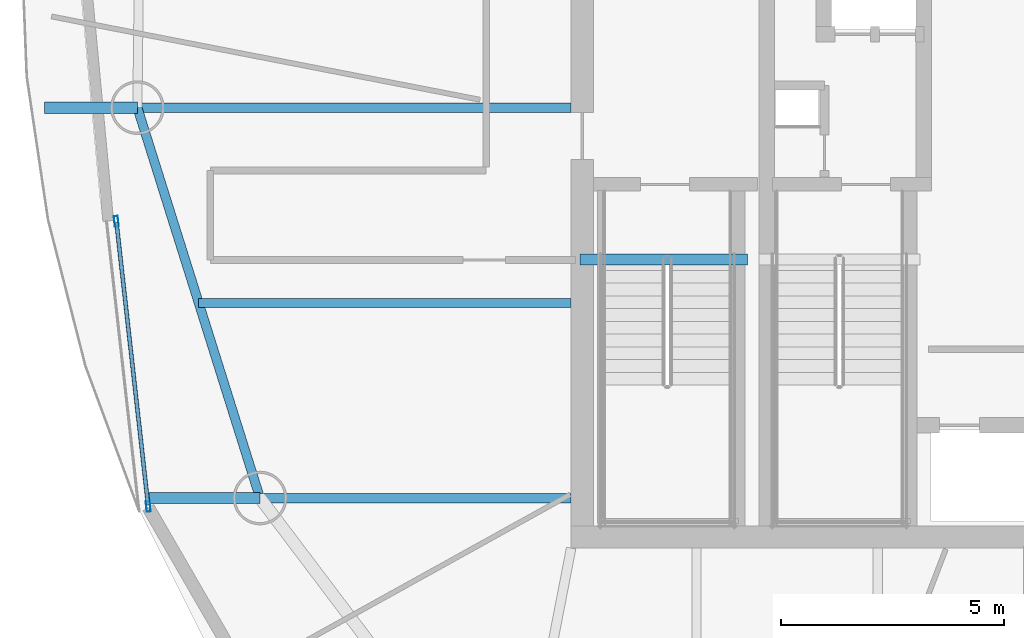
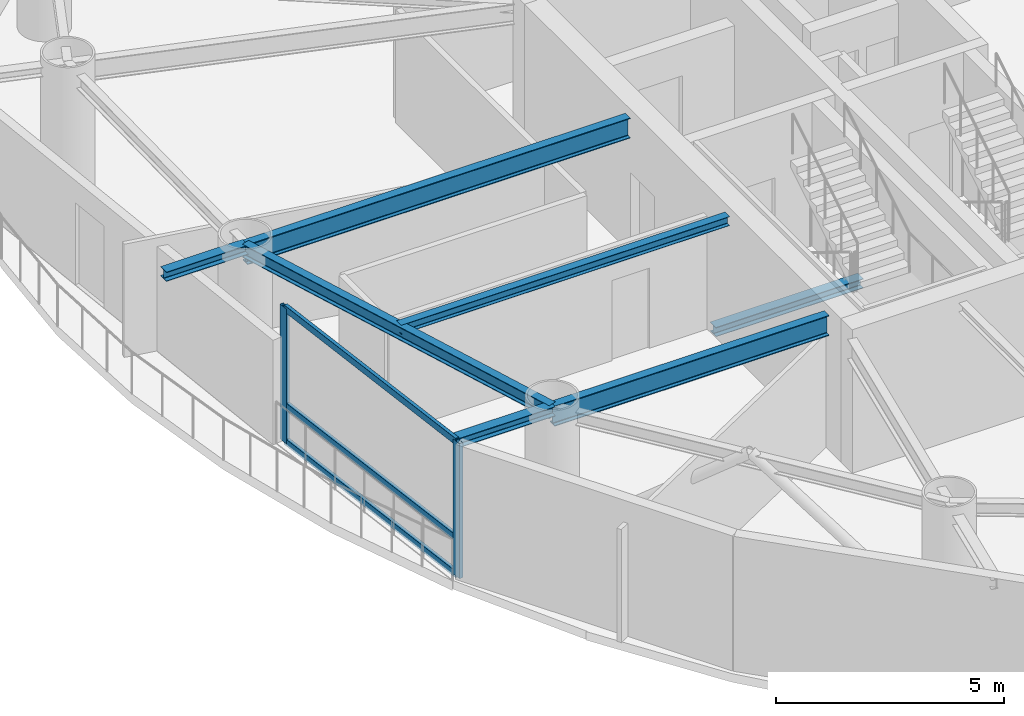
# One storey, part 4 of 18: 7 beams, 5 members, 1 element without a shape of its own.
"""IFC4 building model written with IfcOpenShell, lengths in metres."""

from ifc_helpers import new_model, si_unit, direction, frame, origin, origin_2d, place, context, subcontext, project, spatial, hollow_rectangle, i_section, extrude, material, layer, layer_set, material_profile, profile_set, type_object, element, aggregate, save


model = new_model("IFC4")

# Units and contexts
model_context = context("Model", 3, precision=1e-05, world=origin(), true_north=direction((0.0, 1.0)))
body_context = subcontext(model_context, "Body", "Model", "MODEL_VIEW")
ifc_project = project(units=[si_unit("LENGTHUNIT", "METRE"), si_unit("AREAUNIT", "SQUARE_METRE"), si_unit("VOLUMEUNIT", "CUBIC_METRE"), si_unit("PLANEANGLEUNIT", "RADIAN"), si_unit("MASSUNIT", "GRAM", prefix="KILO")], contexts=[model_context])

# Site, building, storey
site_placement = place(None, origin())
site = spatial("IfcSite", under=ifc_project, at=site_placement, CompositionType="ELEMENT")
building_placement = place(site_placement, origin())
building = spatial("IfcBuilding", under=site, at=building_placement, Name="Bramvorn Convention Spire", CompositionType="ELEMENT")
storey_placement = place(building_placement, frame((0.0, 0.0, 182.75)))
storey = spatial("IfcBuildingStorey", under=building, at=storey_placement, Name="L46", CompositionType="ELEMENT", Elevation=182.75)

# Beams
ifc_material_1 = material(Name="Steel CSA G40.21 Grade 350 (350W)", Category="steel")
ifc_material_profile_1 = material_profile(ifc_material_1, i_section(OverallWidth=0.201904296875, OverallDepth=0.2470703125, WebThickness=0.00732421875, FlangeThickness=0.010986328125, FilletRadius=0.011962890625, at=origin_2d()))
ifc_profile_set_1 = profile_set([ifc_material_profile_1], Name="Steel CSA G40.21 Grade 350 (350W) - W250X49")
beam_type_1 = type_object("IfcBeamType", Name="BM-W250X49", PredefinedType="JOIST", material=ifc_profile_set_1)
beam_1_placement = place(storey_placement, frame((26.75, 24.039794921875, 3.49658203125), z_axis=(-1.0, 0.0, 0.0), x_axis=(0.0, -1.0, 0.0)))
element("IfcBeam", 1, at=beam_1_placement, inside=storey, type_object=beam_type_1, Name="L46 composite floor joist 11", PredefinedType="JOIST", context=body_context, shape_type="SweptSolid", body=[
    extrude(i_section(OverallWidth=0.201904296875, OverallDepth=0.2470703125, WebThickness=0.00732421875, FlangeThickness=0.010986328125, FilletRadius=0.011962890625, at=origin_2d()), origin(), (0.0, 0.0, 1.0), 8.33251953125),
])
ifc_material_profile_2 = material_profile(ifc_material_1, i_section(OverallWidth=0.25390625, OverallDepth=0.2529296875, WebThickness=0.008544921875, FlangeThickness=0.01416015625, FilletRadius=0.011962890625, at=origin_2d()))
ifc_profile_set_2 = profile_set([ifc_material_profile_2], Name="Steel CSA G40.21 Grade 350 (350W) - W250X73")
beam_type_2 = type_object("IfcBeamType", Name="BM-W250X73", PredefinedType="BEAM", material=ifc_profile_set_2)
beam_2_placement = place(storey_placement, frame((17.04541015625, 28.406494140625, 3.493408203125), z_axis=(-1.0, 0.0, 0.0), x_axis=(0.0, -1.0, 0.0)))
element("IfcBeam", 2, at=beam_2_placement, inside=storey, type_object=beam_type_2, Name="L46 slab-edge cantilever tip beam MC11", PredefinedType="BEAM", context=body_context, shape_type="SweptSolid", body=[
    extrude(i_section(OverallWidth=0.25390625, OverallDepth=0.2529296875, WebThickness=0.008544921875, FlangeThickness=0.01416015625, FilletRadius=0.011962890625, at=origin_2d()), origin(), (0.0, 0.0, 1.0), 2.080078125),
])
beam_3_placement = place(storey_placement, frame((19.78955078125, 19.672607421875, 3.493408203125), z_axis=(-1.0, 0.0, 0.0), x_axis=(0.0, -1.0, 0.0)))
element("IfcBeam", 3, at=beam_3_placement, inside=storey, type_object=beam_type_2, Name="L46 slab-edge cantilever tip beam MC12", PredefinedType="BEAM", context=body_context, shape_type="SweptSolid", body=[
    extrude(i_section(OverallWidth=0.25390625, OverallDepth=0.2529296875, WebThickness=0.008544921875, FlangeThickness=0.01416015625, FilletRadius=0.011962890625, at=origin_2d()), origin(), (0.0, 0.0, 1.0), 2.479248046875),
])
beam_4_placement = place(storey_placement, frame((26.949951171875, 25.010009765625, -0.12646484375), z_axis=(1.0, 0.0, 0.0), x_axis=(0.0, 1.0, 0.0)))
element("IfcBeam", 4, at=beam_4_placement, inside=storey, type_object=beam_type_2, Name="L46 ST1 stair arrival header beam", PredefinedType="BEAM", context=body_context, shape_type="SweptSolid", body=[
    extrude(i_section(OverallWidth=0.25390625, OverallDepth=0.2529296875, WebThickness=0.008544921875, FlangeThickness=0.01416015625, FilletRadius=0.011962890625, at=origin_2d()), origin(), (0.0, 0.0, 1.0), 3.739990234375),
])
ifc_material_profile_3 = material_profile(ifc_material_1, i_section(OverallWidth=0.205078125, OverallDepth=0.35400390625, WebThickness=0.009521484375, FlangeThickness=0.016845703125, FilletRadius=0.014892578125, at=origin_2d()))
ifc_profile_set_3 = profile_set([ifc_material_profile_3], Name="Steel CSA G40.21 Grade 350 (350W) - W360X79")
beam_type_3 = type_object("IfcBeamType", Name="BM-W360X79", PredefinedType="JOIST", material=ifc_profile_set_3)
beam_5_placement = place(storey_placement, frame((17.04541015625, 28.406494140625, 3.443115234375), z_axis=(0.299747542929, -0.954018558786, 0.0), x_axis=(0.954018558786, 0.299747542929, 0.0)))
element("IfcBeam", 5, at=beam_5_placement, inside=storey, type_object=beam_type_3, Name="L46 mega-column ring beam 11", PredefinedType="JOIST", context=body_context, shape_type="SweptSolid", body=[
    extrude(i_section(OverallWidth=0.205078125, OverallDepth=0.35400390625, WebThickness=0.009521484375, FlangeThickness=0.016845703125, FilletRadius=0.014892578125, at=origin_2d()), origin(), (0.0, 0.0, 1.0), 9.15478515625),
])
ifc_material_profile_4 = material_profile(ifc_material_1, i_section(OverallWidth=0.2119140625, OverallDepth=0.5439453125, WebThickness=0.01318359375, FlangeThickness=0.021240234375, FilletRadius=0.01904296875, at=origin_2d()))
ifc_profile_set_4 = profile_set([ifc_material_profile_4], Name="Steel CSA G40.21 Grade 350 (350W) - W530X123")
beam_type_4 = type_object("IfcBeamType", Name="BM-W530X123", PredefinedType="BEAM", material=ifc_profile_set_4)
beam_6_placement = place(storey_placement, frame((26.75, 28.406494140625, 3.347900390625), z_axis=(-1.0, 0.0, 0.0), x_axis=(0.0, -1.0, 0.0)))
element("IfcBeam", 6, at=beam_6_placement, inside=storey, type_object=beam_type_4, Name="L46 radial floor girder MC11", PredefinedType="BEAM", context=body_context, shape_type="SweptSolid", body=[
    extrude(i_section(OverallWidth=0.2119140625, OverallDepth=0.5439453125, WebThickness=0.01318359375, FlangeThickness=0.021240234375, FilletRadius=0.01904296875, at=origin_2d()), origin(), (0.0, 0.0, 1.0), 9.70458984375),
])
beam_7_placement = place(storey_placement, frame((26.75, 19.672607421875, 3.347900390625), z_axis=(-1.0, 0.0, 0.0), x_axis=(0.0, -1.0, 0.0)))
element("IfcBeam", 7, at=beam_7_placement, inside=storey, type_object=beam_type_4, Name="L46 radial floor girder MC12", PredefinedType="BEAM", context=body_context, shape_type="SweptSolid", body=[
    extrude(i_section(OverallWidth=0.2119140625, OverallDepth=0.5439453125, WebThickness=0.01318359375, FlangeThickness=0.021240234375, FilletRadius=0.01904296875, at=origin_2d()), origin(), (0.0, 0.0, 1.0), 6.96044921875),
])

# Curtain wall, members
ifc_material_2 = material(Name="Anodised Bronze Unitised Curtain Wall", Category="aluminium")
ifc_layer = layer(ifc_material_2, 0.219970703125)
ifc_layer_set = layer_set([ifc_layer], Name="Anodised Bronze Unitised Curtain Wall - CW-SKYGARDEN")
curtain_wall_type = type_object("IfcCurtainWallType", Name="CW-SKYGARDEN", PredefinedType="USERDEFINED", material=ifc_layer_set)
curtain_wall_placement = place(storey_placement, origin())
curtain_wall = element("IfcCurtainWall", 8, at=curtain_wall_placement, inside=storey, type_object=curtain_wall_type, Name="L46 Sky Garden glazed facade 16", ObjectType="WINTER GARDEN GLAZING", PredefinedType="USERDEFINED")
ifc_material_3 = material(Name="Anodised Bronze Aluminium 6063-T6", Category="aluminium")
ifc_material_profile_5 = material_profile(ifc_material_3, hollow_rectangle(XDim=0.090087890625, YDim=0.239990234375, WallThickness=0.00439453125, InnerFilletRadius=0.0009765625, OuterFilletRadius=0.00439453125, at=origin_2d()))
ifc_profile_set_5 = profile_set([ifc_material_profile_5], Name="Anodised Bronze Aluminium 6063-T6 - CWM90X240")
member_type_1 = type_object("IfcMemberType", Name="CW-MUL-220", PredefinedType="MULLION", material=ifc_profile_set_5)
member_1_placement = place(storey_placement, frame((17.28857421875, 19.48681640625, 0.0), z_axis=(0.0, 0.0, 1.0), x_axis=(-0.993800969386, -0.111173887436, 0.0)))
member_1 = element("IfcMember", 9, at=member_1_placement, type_object=member_type_1, Name="CW4 mullion 1", PredefinedType="MULLION", context=body_context, shape_type="SweptSolid", body=[
    extrude(hollow_rectangle(XDim=0.090087890625, YDim=0.239990234375, WallThickness=0.00439453125, InnerFilletRadius=0.0009765625, OuterFilletRadius=0.00439453125, at=origin_2d()), origin(), (0.0, 0.0, 1.0), 3.6201171875),
])
member_2_placement = place(storey_placement, frame((16.5751953125, 25.862548828125, 0.0), z_axis=(0.0, 0.0, 1.0), x_axis=(-0.993800969386, -0.111173887436, 0.0)))
member_2 = element("IfcMember", 10, at=member_2_placement, type_object=member_type_1, Name="CW4 mullion 2", PredefinedType="MULLION", context=body_context, shape_type="SweptSolid", body=[
    extrude(hollow_rectangle(XDim=0.090087890625, YDim=0.239990234375, WallThickness=0.00439453125, InnerFilletRadius=0.0009765625, OuterFilletRadius=0.00439453125, at=origin_2d()), origin(), (0.0, 0.0, 1.0), 3.6201171875),
])
ifc_material_profile_6 = material_profile(ifc_material_3, hollow_rectangle(XDim=0.090087890625, YDim=0.179931640625, WallThickness=0.00439453125, InnerFilletRadius=0.0009765625, OuterFilletRadius=0.00439453125, at=origin_2d()))
ifc_profile_set_6 = profile_set([ifc_material_profile_6], Name="Anodised Bronze Aluminium 6063-T6 - CWT90X180")
member_type_2 = type_object("IfcMemberType", Name="CW-TRN-180", PredefinedType="USERDEFINED", material=ifc_profile_set_6)
member_3_placement = place(storey_placement, frame((17.28515625, 19.5166015625, 0.030029296875), z_axis=(-0.111169320242, 0.993801480295, 0.0), x_axis=(-0.993801480295, -0.111169320242, 0.0)))
member_3 = element("IfcMember", 11, at=member_3_placement, type_object=member_type_2, Name="CW4 transom 1.1", ObjectType="TRANSOM", PredefinedType="USERDEFINED", context=body_context, shape_type="SweptSolid", body=[
    extrude(hollow_rectangle(XDim=0.090087890625, YDim=0.179931640625, WallThickness=0.00439453125, InnerFilletRadius=0.0009765625, OuterFilletRadius=0.00439453125, at=origin_2d()), origin(), (0.0, 0.0, 1.0), 6.35546875),
])
member_4_placement = place(storey_placement, frame((17.28515625, 19.5166015625, 1.0), z_axis=(-0.111169320242, 0.993801480295, 0.0), x_axis=(-0.993801480295, -0.111169320242, 0.0)))
member_4 = element("IfcMember", 12, at=member_4_placement, type_object=member_type_2, Name="CW4 transom 1.2", ObjectType="TRANSOM", PredefinedType="USERDEFINED", context=body_context, shape_type="SweptSolid", body=[
    extrude(hollow_rectangle(XDim=0.090087890625, YDim=0.179931640625, WallThickness=0.00439453125, InnerFilletRadius=0.0009765625, OuterFilletRadius=0.00439453125, at=origin_2d()), origin(), (0.0, 0.0, 1.0), 6.35546875),
])
member_5_placement = place(storey_placement, frame((17.28515625, 19.5166015625, 3.590087890625), z_axis=(-0.111169320242, 0.993801480295, 0.0), x_axis=(-0.993801480295, -0.111169320242, 0.0)))
member_5 = element("IfcMember", 13, at=member_5_placement, type_object=member_type_2, Name="CW4 transom 1.3", ObjectType="TRANSOM", PredefinedType="USERDEFINED", context=body_context, shape_type="SweptSolid", body=[
    extrude(hollow_rectangle(XDim=0.090087890625, YDim=0.179931640625, WallThickness=0.00439453125, InnerFilletRadius=0.0009765625, OuterFilletRadius=0.00439453125, at=origin_2d()), origin(), (0.0, 0.0, 1.0), 6.35546875),
])
aggregate(curtain_wall, [member_1, member_2, member_3, member_4, member_5])

save(model, "model.ifc")
